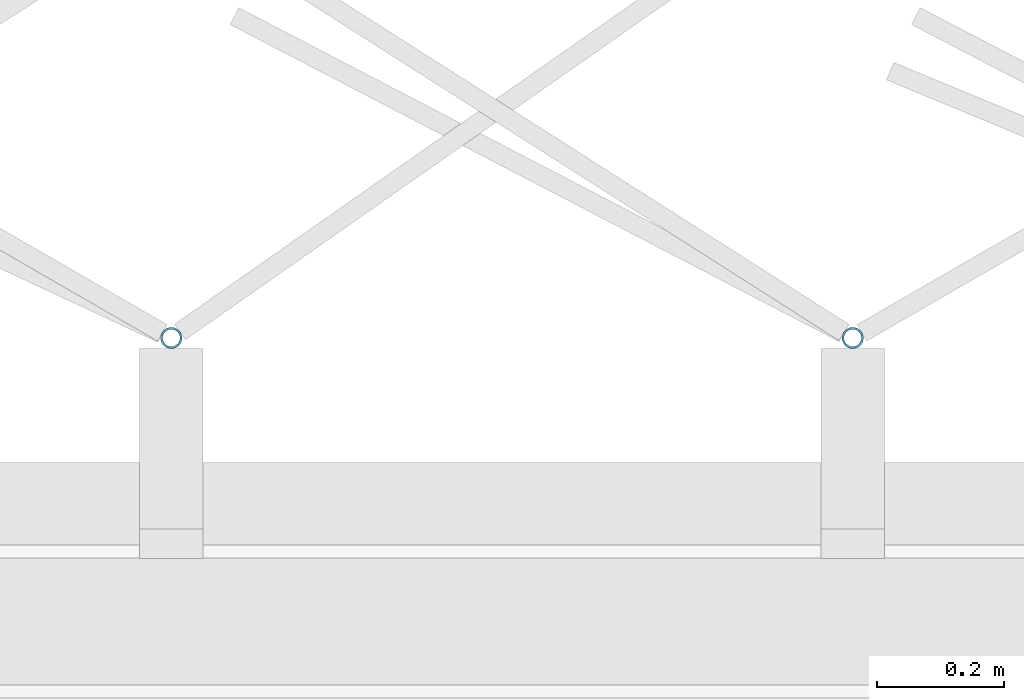
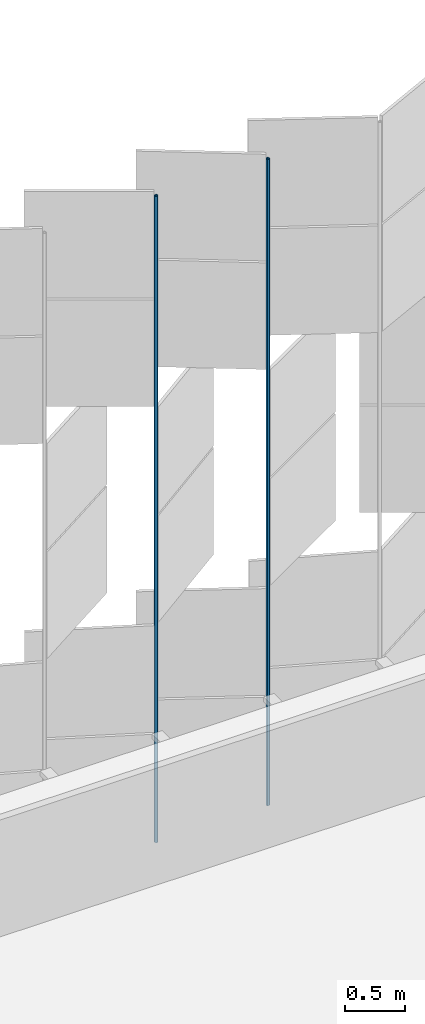
# One storey, part 367 of 483: 2 discrete accessories.
"""IFC4 building model written with IfcOpenShell, lengths in metres."""

from ifc_helpers import new_model, si_unit, direction, frame, origin, origin_2d, place, context, subcontext, project, spatial, hollow_circle, extrude, material, material_profile, profile_set, type_object, element, save


model = new_model("IFC4")

# Units and contexts
model_context = context("Model", 3, precision=1e-05, world=origin(), true_north=direction((0.0, 1.0)))
body_context = subcontext(model_context, "Body", "Model", "MODEL_VIEW")
ifc_project = project(units=[si_unit("LENGTHUNIT", "METRE"), si_unit("AREAUNIT", "SQUARE_METRE"), si_unit("VOLUMEUNIT", "CUBIC_METRE"), si_unit("PLANEANGLEUNIT", "RADIAN"), si_unit("MASSUNIT", "GRAM", prefix="KILO")], contexts=[model_context])

# Site, building, storey
site_placement = place(None, origin())
site = spatial("IfcSite", under=ifc_project, at=site_placement, CompositionType="ELEMENT")
building_placement = place(site_placement, origin())
building = spatial("IfcBuilding", under=site, at=building_placement, Name="Parallax Yard Mobility Hub", CompositionType="ELEMENT")
storey_placement = place(building_placement, frame((0.0, 0.0, 13.199951171875)))
storey = spatial("IfcBuildingStorey", under=building, at=storey_placement, Name="L04", CompositionType="ELEMENT", Elevation=13.199951171875)

# Discrete accessories
ifc_material = material(Name="Steel ASTM A500 Gr C, hot-dip galvanised", Category="steel")
ifc_material_profile = material_profile(ifc_material, hollow_circle(Radius=0.016845703125, WallThickness=0.003173828125, at=origin_2d()), Name="CHS 33.7x3.2")
ifc_profile_set = profile_set([ifc_material_profile], Name="Steel ASTM A500 Gr C, hot-dip galvanised")
discrete_accessory_type = type_object("IfcDiscreteAccessoryType", Name="Hinge post CHS 33.7x3.2", PredefinedType="BRACKET", material=ifc_profile_set)
for number, where, z_axis, x_axis, name in (
    (1, (146.784423828125, 142.800048828125, 0.0), (0.0, 0.0, 1.0), (1.0, 0.0, 0.0), "Hinge post bay 54.4 level L04"),
    (2, (145.712890625, 142.800048828125, 0.0), (0.0, 0.0, 1.0), (1.0, 0.0, 0.0), "Hinge post bay 54.5 level L04"),
):
    element("IfcDiscreteAccessory", number, at=place(storey_placement, frame(where, z_axis=z_axis, x_axis=x_axis)), inside=storey, type_object=discrete_accessory_type, Name=name, PredefinedType="BRACKET", context=body_context, shape_type="SweptSolid", body=[
        extrude(hollow_circle(Radius=0.016845703125, WallThickness=0.003173828125, at=origin_2d()), origin(), (0.0, 0.0, 1.0), 6.550048828125),
    ])

save(model, "model.ifc")
